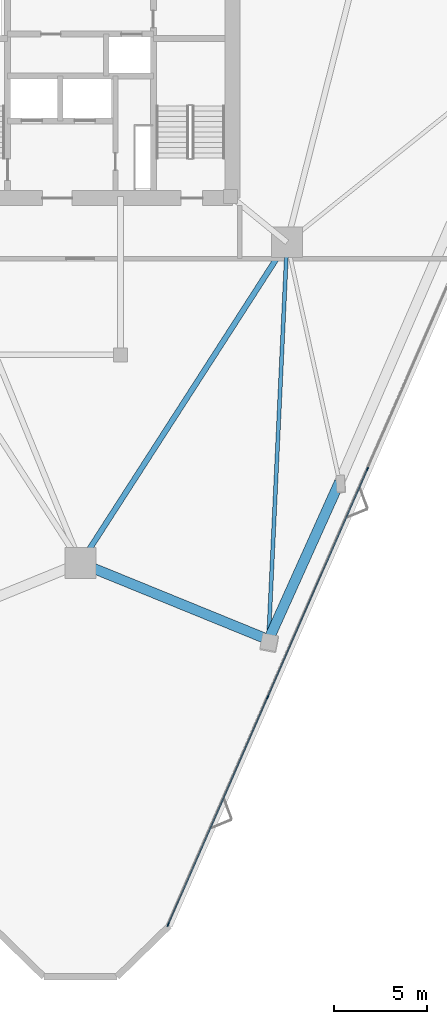
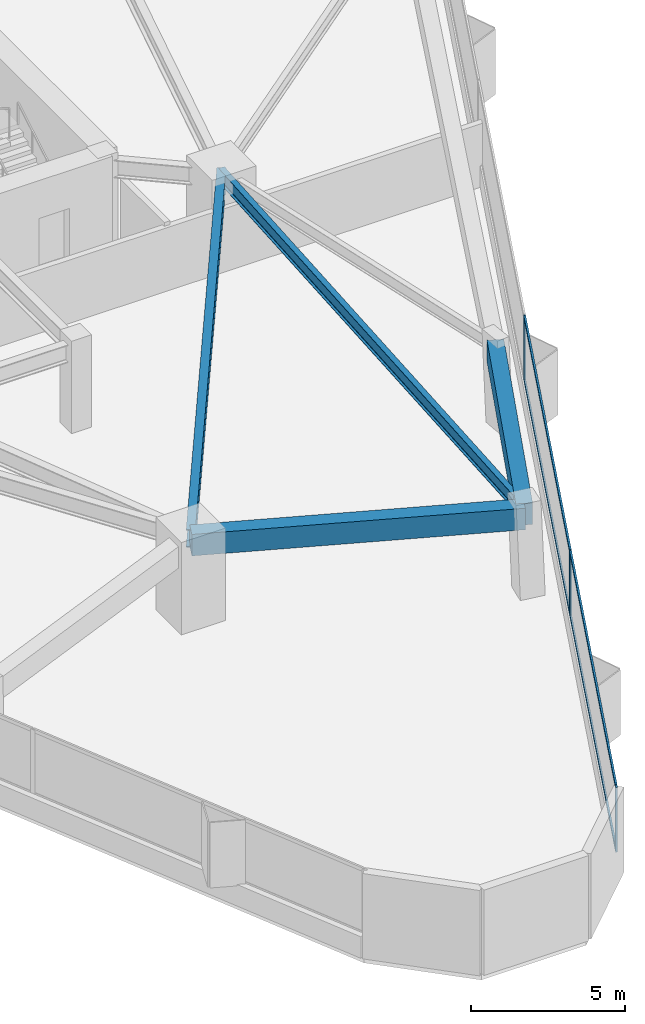
# One storey, part 4 of 19: 7 members, 4 beams, 1 element without a shape of its own.
"""IFC4 building model written with IfcOpenShell, lengths in metres."""

import ifcopenshell
import ifcopenshell.guid

model = None  # the IFC model being written
_history = None  # IfcOwnerHistory: only IFC2X3 demands one
_inside = {}  # id of a spatial element -> (the spatial element, [elements in it])
_under = {}  # id of a project, library or spatial element -> (it, [spatial elements below it])
_declared = {}  # id of a project -> (the project, [libraries it declares])
_typed = {}  # id of a type object -> (the type object, [elements of that type])
_made_of = {}  # id of a material, layer set ... -> (it, [elements and type objects made of it])


def new_model(schema):
    """Start an empty IFC model of exactly this schema.

    Asked for "IFC4X3", IfcOpenShell would pick the latest addendum, in which some entities
    have other attributes; the version numbers below select the first issue.
    IFC2X3 requires an IfcOwnerHistory on every rooted entity: one is made here for all.
    """
    global model, _history
    if schema == "IFC4X3":
        model = ifcopenshell.file(schema_version=(4, 3, 0, 0))
    else:
        model = ifcopenshell.file(schema=schema)
    _inside.clear()
    _under.clear()
    _declared.clear()
    _typed.clear()
    _made_of.clear()
    _history = None
    if model.schema == "IFC2X3":
        org = make("IfcOrganization", Name="unknown")
        user = make(
            "IfcPersonAndOrganization",
            ThePerson=make("IfcPerson", FamilyName="unknown"),
            TheOrganization=org,
        )
        app = make(
            "IfcApplication",
            ApplicationDeveloper=org,
            Version="unknown",
            ApplicationFullName="unknown",
            ApplicationIdentifier="unknown",
        )
        _history = make(
            "IfcOwnerHistory",
            OwningUser=user,
            OwningApplication=app,
            ChangeAction="ADDED",
            CreationDate=0,
        )
    return model


def make(cls, **values):
    """One entity of the class cls with the attributes given. An attribute that is None is left unset."""
    return model.create_entity(
        cls, **{name: value for name, value in values.items() if value is not None}
    )


def rooted(cls, **values):
    """An entity with a GlobalId (a new one), such as an element, a storey or a relation."""
    return make(cls, GlobalId=ifcopenshell.guid.new(), OwnerHistory=_history, **values)


def si_unit(unit_type, name, prefix=None):
    """IfcSIUnit, for example si_unit("LENGTHUNIT", "METRE", prefix="MILLI")."""
    return make("IfcSIUnit", UnitType=unit_type, Prefix=prefix, Name=name)


def assignment(units):
    """IfcUnitAssignment: the units of a project."""
    return None if units is None else make("IfcUnitAssignment", Units=units)


def point(xyz):
    """IfcCartesianPoint."""
    return None if xyz is None else make("IfcCartesianPoint", Coordinates=xyz)


def direction(xyz):
    """IfcDirection."""
    return None if xyz is None else make("IfcDirection", DirectionRatios=xyz)


def frame(location, z_axis=None, x_axis=None):
    """IfcAxis2Placement3D, a coordinate frame: its origin and axes. An axis left out is left unset."""
    return make(
        "IfcAxis2Placement3D",
        Location=point(location),
        Axis=direction(z_axis),
        RefDirection=direction(x_axis),
    )


def frame_2d(location, x_axis=None):
    """IfcAxis2Placement2D, a coordinate frame in the plane: its origin and x axis."""
    return make(
        "IfcAxis2Placement2D", Location=point(location), RefDirection=direction(x_axis)
    )


def origin():
    """The frame at (0, 0, 0) with its axes left unset."""
    return frame((0.0, 0.0, 0.0))


def origin_2d():
    """The frame at (0, 0) in the plane with its x axis left unset."""
    return frame_2d((0.0, 0.0))


def place(relative_to, where):
    """IfcLocalPlacement: puts the frame where relative to a parent placement (None: the world)."""
    return make(
        "IfcLocalPlacement", PlacementRelTo=relative_to, RelativePlacement=where
    )


def context(
    kind, dimensions, precision=None, world=None, true_north=None, identifier=None
):
    """IfcGeometricRepresentationContext, for example the 3D "Model" context."""
    return make(
        "IfcGeometricRepresentationContext",
        ContextIdentifier=identifier,
        ContextType=kind,
        CoordinateSpaceDimension=dimensions,
        Precision=precision,
        WorldCoordinateSystem=world,
        TrueNorth=true_north,
    )


def subcontext(parent, identifier, kind, view, scale=None):
    """IfcGeometricRepresentationSubContext, for example "Body" below "Model"."""
    return make(
        "IfcGeometricRepresentationSubContext",
        ContextIdentifier=identifier,
        ContextType=kind,
        ParentContext=parent,
        TargetScale=scale,
        TargetView=view,
    )


def project(units=None, contexts=None):
    """IfcProject with its units and contexts."""
    return rooted(
        "IfcProject",
        Name="project",
        RepresentationContexts=contexts,
        UnitsInContext=assignment(units),
    )


def spatial(cls, under=None, at=None, **own):
    """A site, building, storey or space (cls), placed at a placement, below another one or the project."""
    s = rooted(cls, ObjectPlacement=at, **own)
    if under is not None:
        _under.setdefault(under.id(), (under, []))[1].append(s)
    return s


def profile(cls, at=None, kind="AREA", **sizes):
    """A parametric profile (cls). Its sizes go by their IFC names, for example OverallWidth=200.0."""
    return make(cls, ProfileType=kind, Position=at, **sizes)


def rectangle(**sizes):
    """IfcRectangleProfileDef."""
    return profile("IfcRectangleProfileDef", **sizes)


def i_section(**sizes):
    """IfcIShapeProfileDef."""
    return profile("IfcIShapeProfileDef", **sizes)


def extrude(swept, where, along, depth):
    """IfcExtrudedAreaSolid: the profile swept, set in the frame where, extruded along a direction by depth."""
    return make(
        "IfcExtrudedAreaSolid",
        SweptArea=swept,
        Position=where,
        ExtrudedDirection=direction(along),
        Depth=depth,
    )


def shape(context_of_items, identifier, shape_type, items):
    """IfcShapeRepresentation: the items that make up one representation, for example the "Body"."""
    return make(
        "IfcShapeRepresentation",
        ContextOfItems=context_of_items,
        RepresentationIdentifier=identifier,
        RepresentationType=shape_type,
        Items=items,
    )


def material(Name=None, Category=None):
    """IfcMaterial."""
    return make("IfcMaterial", Name=Name, Category=Category)


def layer(
    of_material, thickness, ventilated=None, Name=None, Category=None, Priority=None
):
    """IfcMaterialLayer: one layer of a wall or slab, of a material (None: an air gap)."""
    return make(
        "IfcMaterialLayer",
        Material=of_material,
        LayerThickness=thickness,
        IsVentilated=ventilated,
        Name=Name,
        Category=Category,
        Priority=Priority,
    )


def layer_set(layers, Name=None):
    """IfcMaterialLayerSet."""
    return make("IfcMaterialLayerSet", MaterialLayers=layers, LayerSetName=Name)


def material_profile(
    of_material, cross_section, Name=None, Category=None, Priority=None
):
    """IfcMaterialProfile: a cross section and its material."""
    return make(
        "IfcMaterialProfile",
        Name=Name,
        Material=of_material,
        Profile=cross_section,
        Priority=Priority,
        Category=Category,
    )


def profile_set(profiles, Name=None, composite=None):
    """IfcMaterialProfileSet."""
    return make(
        "IfcMaterialProfileSet",
        Name=Name,
        MaterialProfiles=profiles,
        CompositeProfile=composite,
    )


def made_of(thing, what):
    """Note that an element or type object is made of a material, layer set ...; save() writes the relation."""
    if what is not None:
        _made_of.setdefault(what.id(), (what, []))[1].append(thing)
    return thing


def type_object(cls, material=None, **own):
    """A type object (cls), such as IfcWallType, which elements share."""
    return made_of(rooted(cls, **own), material)


def element(
    cls,
    number,
    at=None,
    inside=None,
    cuts=None,
    type_object=None,
    material=None,
    context=None,
    identifier="Body",
    shape_type=None,
    held_by="IfcProductDefinitionShape",
    body=None,
    shapes=None,
    **own,
):
    """One element of the class cls, such as IfcWall. Its Tag is "e" and its number.

    at: its placement. inside: the storey or other place that contains it. cuts: it is an
    opening in that element (IfcRelVoidsElement). A single representation is given by context,
    identifier, shape_type and body (its items); several are given by shapes. held_by: the class
    of the entity that holds the representations. save() writes the other relations.
    """
    e = rooted(cls, Tag="e%d" % number, ObjectPlacement=at, **own)
    if body is not None:
        shapes = [shape(context, identifier, shape_type, body)]
    if shapes is not None:
        e.Representation = make(held_by, Representations=shapes)
    if inside is not None:
        _inside.setdefault(inside.id(), (inside, []))[1].append(e)
    if cuts is not None:
        rooted(
            "IfcRelVoidsElement", RelatingBuildingElement=cuts, RelatedOpeningElement=e
        )
    if type_object is not None:
        _typed.setdefault(type_object.id(), (type_object, []))[1].append(e)
    return made_of(e, material)


def aggregate(whole, parts):
    """IfcRelAggregates: a whole, such as a stair, and the parts it consists of."""
    return rooted("IfcRelAggregates", RelatingObject=whole, RelatedObjects=parts)


def save(model, path):
    """Write the relations noted so far, then the file.

    IfcRelAggregates (storeys below a building ...), IfcRelContainedInSpatialStructure (elements
    in a storey), IfcRelDefinesByType, IfcRelAssociatesMaterial and IfcRelDeclares: one each for
    every whole, place, type object, material and project.
    """
    for whole, parts in _under.values():
        aggregate(whole, parts)
    for where, things in _inside.values():
        rooted(
            "IfcRelContainedInSpatialStructure",
            RelatedElements=things,
            RelatingStructure=where,
        )
    for kind, things in _typed.values():
        rooted("IfcRelDefinesByType", RelatedObjects=things, RelatingType=kind)
    for what, things in _made_of.values():
        rooted("IfcRelAssociatesMaterial", RelatedObjects=things, RelatingMaterial=what)
    for by, libraries in _declared.values():
        rooted("IfcRelDeclares", RelatingContext=by, RelatedDefinitions=libraries)
    model.write(path)


model = new_model("IFC4")

# Units and contexts
model_context = context("Model", 3, precision=1e-05, world=origin(), true_north=direction((0.0, 1.0)))
body_context = subcontext(model_context, "Body", "Model", "MODEL_VIEW")
ifc_project = project(units=[si_unit("LENGTHUNIT", "METRE"), si_unit("AREAUNIT", "SQUARE_METRE"), si_unit("VOLUMEUNIT", "CUBIC_METRE"), si_unit("PLANEANGLEUNIT", "RADIAN"), si_unit("MASSUNIT", "GRAM", prefix="KILO")], contexts=[model_context])

# Site, building, storey
site_placement = place(None, origin())
site = spatial("IfcSite", under=ifc_project, at=site_placement, CompositionType="ELEMENT")
building_placement = place(site_placement, origin())
building = spatial("IfcBuilding", under=site, at=building_placement, Name="Talyreon Biosciences Tower", CompositionType="ELEMENT")
storey_placement = place(building_placement, frame((0.0, 0.0, 82.300048828125)))
storey = spatial("IfcBuildingStorey", under=building, at=storey_placement, Name="L21", CompositionType="ELEMENT", Elevation=82.300048828125)

# Curtain wall, members
ifc_material_1 = material(Name="Thermally broken aluminium and low-E glazing", Category="aluminium")
ifc_layer = layer(ifc_material_1, 0.18994140625)
ifc_layer_set = layer_set([ifc_layer], Name="Thermally broken aluminium and low-E glazing")
curtain_wall_type = type_object("IfcCurtainWallType", Name="CurtainWall_Zone2Genomics", PredefinedType="NOTDEFINED", material=ifc_layer_set)
curtain_wall_placement = place(storey_placement, origin())
curtain_wall = element("IfcCurtainWall", 1, at=curtain_wall_placement, inside=storey, type_object=curtain_wall_type, Name="L21 Unitised Curtain Wall FCW-L21-08", PredefinedType="NOTDEFINED")
ifc_material_2 = material(Name="Anodised thermally broken aluminium", Category="aluminium")
ifc_material_profile_1 = material_profile(ifc_material_2, rectangle(XDim=0.06494140625, YDim=0.179931640625, at=origin_2d()), Name="ALUM MULLION 65x180")
ifc_profile_set_1 = profile_set([ifc_material_profile_1], Name="Anodised thermally broken aluminium")
member_type_1 = type_object("IfcMemberType", Name="CWMullion_65x180", PredefinedType="MULLION", material=ifc_profile_set_1)
member_1_placement = place(storey_placement, frame((81.40478515625, 46.721435546875, 0.81005859375), z_axis=(0.0, 0.0, 1.0), x_axis=(0.916213942072, -0.400689421314, 0.0)))
member_1 = element("IfcMember", 2, at=member_1_placement, type_object=member_type_1, Name="CW3 mullion 4", PredefinedType="MULLION", context=body_context, shape_type="SweptSolid", body=[
    extrude(rectangle(XDim=0.06494140625, YDim=0.179931640625, at=origin_2d()), origin(), (0.0, 0.0, 1.0), 2.56494140625),
])
member_2_placement = place(storey_placement, frame((76.0478515625, 34.472412109375, 0.81005859375), z_axis=(0.0, 0.0, 1.0), x_axis=(0.916213942072, -0.400689421314, 0.0)))
member_2 = element("IfcMember", 3, at=member_2_placement, type_object=member_type_1, Name="CW3 mullion 5", PredefinedType="MULLION", context=body_context, shape_type="SweptSolid", body=[
    extrude(rectangle(XDim=0.06494140625, YDim=0.179931640625, at=origin_2d()), origin(), (0.0, 0.0, 1.0), 2.56494140625),
])
member_3_placement = place(storey_placement, frame((70.7041015625, 22.253173828125, 0.81005859375), z_axis=(0.0, 0.0, 1.0), x_axis=(0.916213942072, -0.400689421314, 0.0)))
member_3 = element("IfcMember", 4, at=member_3_placement, type_object=member_type_1, Name="CW3 mullion 6", PredefinedType="MULLION", context=body_context, shape_type="SweptSolid", body=[
    extrude(rectangle(XDim=0.06494140625, YDim=0.179931640625, at=origin_2d()), origin(), (0.0, 0.0, 1.0), 2.56494140625),
])
ifc_material_profile_2 = material_profile(ifc_material_2, rectangle(XDim=0.06494140625, YDim=0.139892578125, at=origin_2d()), Name="ALUM TRANSOM 65x140")
ifc_profile_set_2 = profile_set([ifc_material_profile_2], Name="Anodised thermally broken aluminium")
member_type_2 = type_object("IfcMemberType", Name="CWTransom_65x140", PredefinedType="USERDEFINED", material=ifc_profile_set_2)
member_4_placement = place(storey_placement, frame((81.391845703125, 46.691650390625, 0.842529296875), z_axis=(-0.40068790809, -0.916214603852, 0.0), x_axis=(0.916214603852, -0.40068790809, 0.0)))
member_4 = element("IfcMember", 5, at=member_4_placement, type_object=member_type_2, Name="CW3 transom 4.1", ObjectType="TRANSOM", PredefinedType="USERDEFINED", context=body_context, shape_type="SweptSolid", body=[
    extrude(rectangle(XDim=0.06494140625, YDim=0.139892578125, at=origin_2d()), origin(), (0.0, 0.0, 1.0), 13.30419921875),
])
member_5_placement = place(storey_placement, frame((81.391845703125, 46.691650390625, 3.342529296875), z_axis=(-0.40068790809, -0.916214603852, 0.0), x_axis=(0.916214603852, -0.40068790809, 0.0)))
member_5 = element("IfcMember", 6, at=member_5_placement, type_object=member_type_2, Name="CW3 transom 4.2", ObjectType="TRANSOM", PredefinedType="USERDEFINED", context=body_context, shape_type="SweptSolid", body=[
    extrude(rectangle(XDim=0.06494140625, YDim=0.139892578125, at=origin_2d()), origin(), (0.0, 0.0, 1.0), 13.30419921875),
])
member_6_placement = place(storey_placement, frame((76.034912109375, 34.442626953125, 0.842529296875), z_axis=(-0.40069337817, -0.916212211603, 0.0), x_axis=(0.916212211603, -0.40069337817, 0.0)))
member_6 = element("IfcMember", 7, at=member_6_placement, type_object=member_type_2, Name="CW3 transom 5.1", ObjectType="TRANSOM", PredefinedType="USERDEFINED", context=body_context, shape_type="SweptSolid", body=[
    extrude(rectangle(XDim=0.06494140625, YDim=0.139892578125, at=origin_2d()), origin(), (0.0, 0.0, 1.0), 13.271728515625),
])
member_7_placement = place(storey_placement, frame((76.034912109375, 34.442626953125, 3.342529296875), z_axis=(-0.40069337817, -0.916212211603, 0.0), x_axis=(0.916212211603, -0.40069337817, 0.0)))
member_7 = element("IfcMember", 8, at=member_7_placement, type_object=member_type_2, Name="CW3 transom 5.2", ObjectType="TRANSOM", PredefinedType="USERDEFINED", context=body_context, shape_type="SweptSolid", body=[
    extrude(rectangle(XDim=0.06494140625, YDim=0.139892578125, at=origin_2d()), origin(), (0.0, 0.0, 1.0), 13.271728515625),
])
aggregate(curtain_wall, [member_1, member_2, member_3, member_4, member_5, member_6, member_7])

# Beams
ifc_material_3 = material(Name="Precast concrete C45/55", Category="concrete")
ifc_material_profile_3 = material_profile(ifc_material_3, rectangle(XDim=0.550048828125, YDim=0.85009765625, at=origin_2d()), Name="RCB 550x850")
ifc_profile_set_3 = profile_set([ifc_material_profile_3], Name="Precast concrete C45/55")
beam_type_1 = type_object("IfcBeamType", Name="ExpressedSpandrel_550x850", PredefinedType="SPANDREL", material=ifc_profile_set_3)
beam_1_placement = place(storey_placement, frame((66.0, 41.6669921875, 2.949951171875), z_axis=(0.925934612024, -0.377683854905, 0.0), x_axis=(0.377683854905, 0.925934612024, 0.0)))
element("IfcBeam", 9, at=beam_1_placement, inside=storey, type_object=beam_type_1, Name="L21 Expressed Horizontal Concrete Spandrel 01", PredefinedType="SPANDREL", context=body_context, shape_type="SweptSolid", body=[
    extrude(rectangle(XDim=0.550048828125, YDim=0.85009765625, at=origin_2d()), origin(), (0.0, 0.0, 1.0), 10.901123046875),
])
beam_2_placement = place(storey_placement, frame((76.09375, 37.5498046875, 2.949951171875), z_axis=(0.410489186843, 0.911865465672, 0.0), x_axis=(-0.911865465672, 0.410489186843, 0.0)))
element("IfcBeam", 10, at=beam_2_placement, inside=storey, type_object=beam_type_1, Name="L21 Expressed Horizontal Concrete Spandrel 02", PredefinedType="SPANDREL", context=body_context, shape_type="SweptSolid", body=[
    extrude(rectangle(XDim=0.550048828125, YDim=0.85009765625, at=origin_2d()), origin(), (0.0, 0.0, 1.0), 9.294189453125),
])
ifc_material_4 = material(Name="Steel SM355", Category="steel")
ifc_material_profile_4 = material_profile(ifc_material_4, i_section(OverallWidth=0.300048828125, OverallDepth=0.699951171875, WebThickness=0.01708984375, FlangeThickness=0.031982421875, FilletRadius=0.027099609375, at=origin_2d()), Name="HE700B")
ifc_profile_set_4 = profile_set([ifc_material_profile_4], Name="Steel SM355")
beam_type_2 = type_object("IfcBeamType", Name="SteelGirder_HE700B", PredefinedType="BEAM", material=ifc_profile_set_4)
beam_3_placement = place(storey_placement, frame((66.0, 41.6669921875, 3.02490234375), z_axis=(0.541463723609, 0.840724114092, 0.0), x_axis=(-0.840724114092, 0.541463723609, 0.0)))
element("IfcBeam", 11, at=beam_3_placement, inside=storey, type_object=beam_type_2, Name="L21 Mega-Ring Girder 1", PredefinedType="BEAM", context=body_context, shape_type="SweptSolid", body=[
    extrude(i_section(OverallWidth=0.300048828125, OverallDepth=0.699951171875, WebThickness=0.01708984375, FlangeThickness=0.031982421875, FilletRadius=0.027099609375, at=origin_2d()), origin(), (0.0, 0.0, 1.0), 20.474365234375),
])
ifc_material_profile_5 = material_profile(ifc_material_4, i_section(OverallWidth=0.2099609375, OverallDepth=0.550048828125, WebThickness=0.010986328125, FlangeThickness=0.01708984375, FilletRadius=0.02392578125, at=origin_2d()), Name="IPE550")
ifc_profile_set_5 = profile_set([ifc_material_profile_5], Name="Steel SM355")
beam_type_3 = type_object("IfcBeamType", Name="SteelJoist_IPE550", PredefinedType="JOIST", material=ifc_profile_set_5)
beam_4_placement = place(storey_placement, frame((77.086181640625, 58.88037109375, 3.099853515625), z_axis=(-0.046475991651, -0.99891940726, 0.0), x_axis=(0.99891940726, -0.046475991651, 0.0)))
element("IfcBeam", 12, at=beam_4_placement, inside=storey, type_object=beam_type_3, Name="L21 Radial Composite Floor Joist PC-SE1", PredefinedType="JOIST", context=body_context, shape_type="SweptSolid", body=[
    extrude(i_section(OverallWidth=0.2099609375, OverallDepth=0.550048828125, WebThickness=0.010986328125, FlangeThickness=0.01708984375, FilletRadius=0.02392578125, at=origin_2d()), origin(), (0.0, 0.0, 1.0), 21.353759765625),
])

save(model, "model.ifc")
